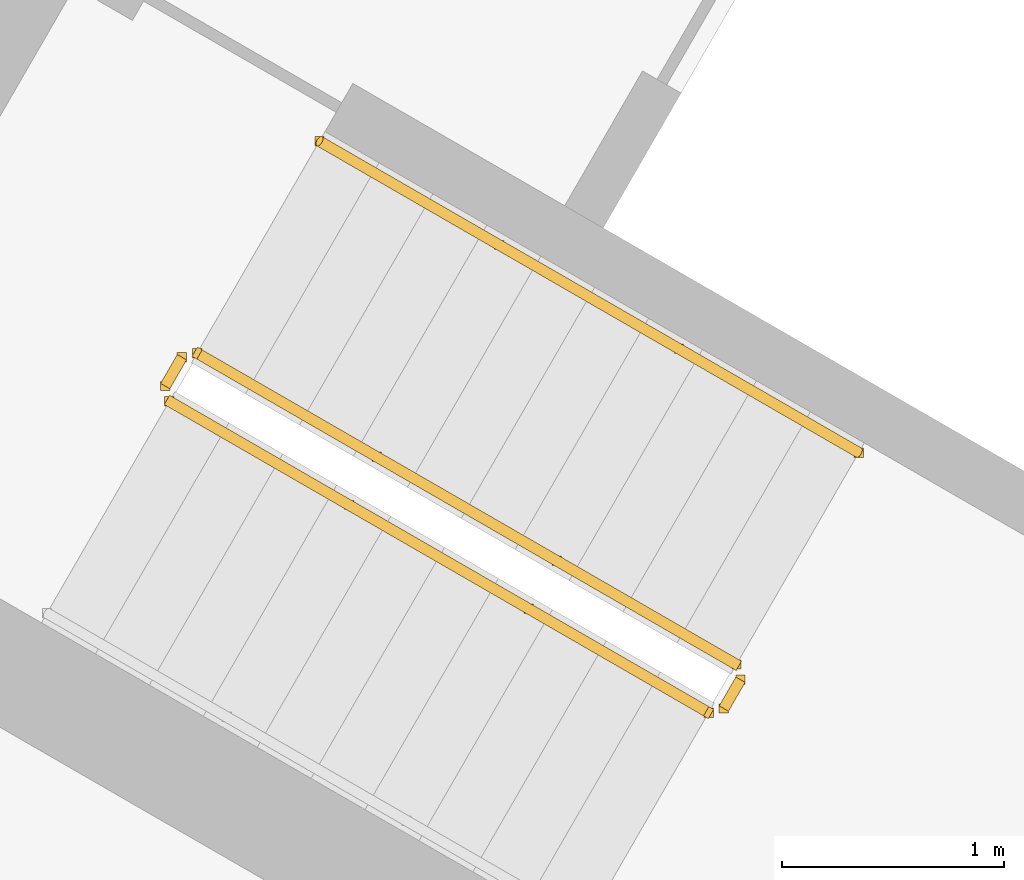
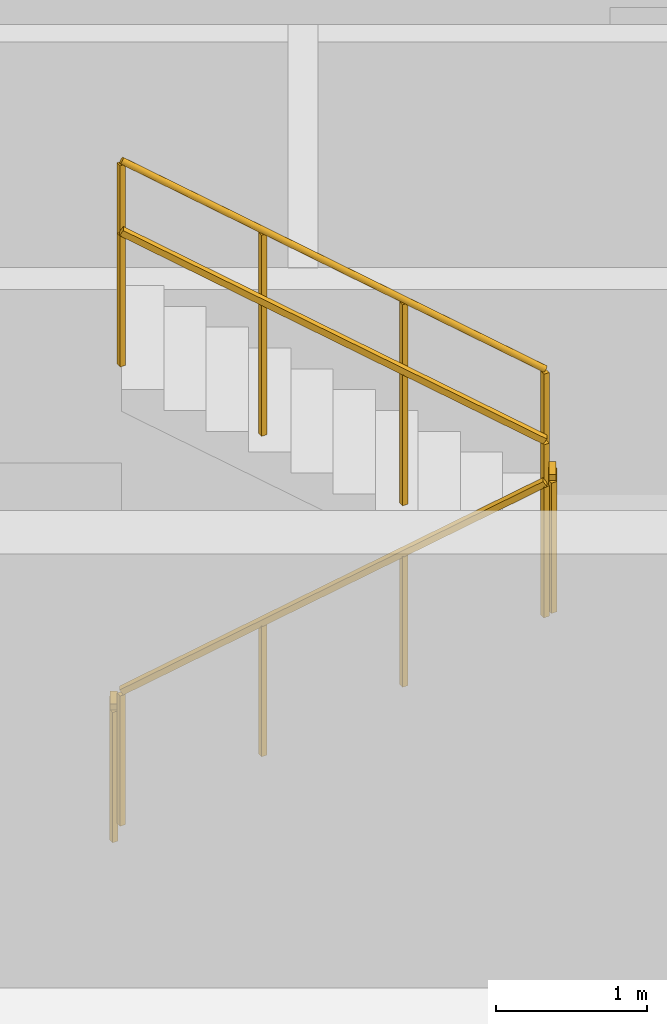
# One storey, part 11 of 13: 5 railings.
"""IFC4 building model written with IfcOpenShell, lengths in metres."""

from ifc_helpers import new_model, si_unit, direction, frame, origin, origin_2d, place, context, subcontext, project, spatial, rectangle, circle, extrude, material, type_object, element, save


model = new_model("IFC4")

# Units and contexts
model_context = context("Model", 3, precision=1e-05, world=origin(), true_north=direction((0.0, 1.0)))
body_context = subcontext(model_context, "Body", "Model", "MODEL_VIEW")
ifc_project = project(units=[si_unit("LENGTHUNIT", "METRE"), si_unit("AREAUNIT", "SQUARE_METRE"), si_unit("VOLUMEUNIT", "CUBIC_METRE"), si_unit("PLANEANGLEUNIT", "RADIAN"), si_unit("MASSUNIT", "GRAM", prefix="KILO")], contexts=[model_context])

# Site, building, storey
site_placement = place(None, origin())
site = spatial("IfcSite", under=ifc_project, at=site_placement, CompositionType="ELEMENT")
building_placement = place(site_placement, origin())
building = spatial("IfcBuilding", under=site, at=building_placement, Name="Apuvela Tower Hotel", CompositionType="ELEMENT")
storey_placement = place(building_placement, frame((0.0, 0.0, 183.60009765625)))
storey = spatial("IfcBuildingStorey", under=building, at=storey_placement, Name="L44", CompositionType="ELEMENT", Elevation=183.60009765625)

# Railings
ifc_material_1 = material(Name="Steel S275 balustrade", Category="steel")
railing_type_1 = type_object("IfcRailingType", Name="COR-GUARD-1100", PredefinedType="GUARDRAIL", material=ifc_material_1)
railing_1_placement = place(storey_placement, frame((10.718994140625, -10.63427734375, 0.16796875)))
element("IfcRailing", 1, at=railing_1_placement, inside=storey, type_object=railing_type_1, Name="L44 ST3 stair guard 1", PredefinedType="GUARDRAIL", context=body_context, shape_type="SweptSolid", body=[
    extrude(rectangle(XDim=0.048095703125, YDim=0.048095703125, at=origin_2d()), frame((0.0, 0.0, 1.076171875), z_axis=(0.742390482028, -0.42860119049, 0.514934356695), x_axis=(0.49998411664, 0.866034573852, 0.0)), (0.0, 0.0, 1.0), 3.26611328125),
    extrude(rectangle(XDim=0.0419921875, YDim=0.0419921875, at=origin_2d()), origin(), (0.0, 0.0, 1.0), 1.052001953125),
    extrude(rectangle(XDim=0.0419921875, YDim=0.0419921875, at=origin_2d()), frame((0.808349609375, -0.466552734375, 0.560546875)), (0.0, 0.0, 1.0), 1.052001953125),
    extrude(rectangle(XDim=0.0419921875, YDim=0.0419921875, at=origin_2d()), frame((1.616455078125, -0.933349609375, 1.121337890625)), (0.0, 0.0, 1.0), 1.052001953125),
    extrude(rectangle(XDim=0.0419921875, YDim=0.0419921875, at=origin_2d()), frame((2.4248046875, -1.39990234375, 1.681884765625)), (0.0, 0.0, 1.0), 1.052001953125),
])
railing_2_placement = place(storey_placement, frame((13.212158203125, -12.015869140625, 1.849853515625)))
element("IfcRailing", 2, at=railing_2_placement, inside=storey, type_object=railing_type_1, Name="L44 ST3 stair guard 2", PredefinedType="GUARDRAIL", context=body_context, shape_type="SweptSolid", body=[
    extrude(rectangle(XDim=0.048095703125, YDim=0.048095703125, at=origin_2d()), frame((0.0, 0.0, 1.076171875), z_axis=(0.499816412211, 0.866131372301, 0.0), x_axis=(-0.866131372301, 0.499816412211, 0.0)), (0.0, 0.0, 1.0), 0.14990234375),
    extrude(rectangle(XDim=0.0419921875, YDim=0.0419921875, at=origin_2d()), origin(), (0.0, 0.0, 1.0), 1.052001953125),
    extrude(rectangle(XDim=0.0419921875, YDim=0.0419921875, at=origin_2d()), frame((0.074951171875, 0.1298828125, 0.0)), (0.0, 0.0, 1.0), 1.052001953125),
])
railing_3_placement = place(storey_placement, frame((13.268798828125, -11.817626953125, 2.01806640625)))
element("IfcRailing", 3, at=railing_3_placement, inside=storey, type_object=railing_type_1, Name="L44 ST3 stair guard 3", PredefinedType="GUARDRAIL", context=body_context, shape_type="SweptSolid", body=[
    extrude(rectangle(XDim=0.048095703125, YDim=0.048095703125, at=origin_2d()), frame((0.0, 0.0, 1.076171875), z_axis=(-0.742390482028, 0.42860119049, 0.514934356695), x_axis=(-0.49998411664, -0.866034573852, 0.0)), (0.0, 0.0, 1.0), 3.26611328125),
    extrude(rectangle(XDim=0.0419921875, YDim=0.0419921875, at=origin_2d()), origin(), (0.0, 0.0, 1.0), 1.052001953125),
    extrude(rectangle(XDim=0.0419921875, YDim=0.0419921875, at=origin_2d()), frame((-0.808349609375, 0.466552734375, 0.560546875)), (0.0, 0.0, 1.0), 1.052001953125),
    extrude(rectangle(XDim=0.0419921875, YDim=0.0419921875, at=origin_2d()), frame((-1.616455078125, 0.933349609375, 1.121337890625)), (0.0, 0.0, 1.0), 1.052001953125),
    extrude(rectangle(XDim=0.0419921875, YDim=0.0419921875, at=origin_2d()), frame((-2.4248046875, 1.39990234375, 1.681884765625)), (0.0, 0.0, 1.0), 1.052001953125),
])
railing_4_placement = place(storey_placement, frame((10.70068359375, -10.56591796875, 0.0)))
element("IfcRailing", 4, at=railing_4_placement, inside=storey, type_object=railing_type_1, Name="L44 ST3 stair guard 4", PredefinedType="GUARDRAIL", context=body_context, shape_type="SweptSolid", body=[
    extrude(rectangle(XDim=0.048095703125, YDim=0.048095703125, at=origin_2d()), frame((0.0, 0.0, 1.076171875), z_axis=(0.499816412211, 0.866131372301, 0.0), x_axis=(-0.866131372301, 0.499816412211, 0.0)), (0.0, 0.0, 1.0), 0.14990234375),
    extrude(rectangle(XDim=0.0419921875, YDim=0.0419921875, at=origin_2d()), origin(), (0.0, 0.0, 1.0), 1.052001953125),
    extrude(rectangle(XDim=0.0419921875, YDim=0.0419921875, at=origin_2d()), frame((0.074951171875, 0.1298828125, 0.0)), (0.0, 0.0, 1.0), 1.052001953125),
])
ifc_material_2 = material(Name="Stainless steel 316 handrail", Category="steel")
railing_type_2 = type_object("IfcRailingType", Name="COR-HANDRAIL-900", PredefinedType="HANDRAIL", material=ifc_material_2)
railing_5_placement = place(storey_placement, frame((13.81884765625, -10.864990234375, 2.01806640625)))
element("IfcRailing", 5, at=railing_5_placement, inside=storey, type_object=railing_type_2, Name="L44 ST3 stair handrail 2", PredefinedType="HANDRAIL", context=body_context, shape_type="SweptSolid", body=[
    extrude(circle(Radius=0.02392578125, at=origin_2d()), frame((0.0, 0.0, 0.8759765625), z_axis=(-0.742390482028, 0.42860119049, 0.514934356695), x_axis=(-0.49998411664, -0.866034573852, 0.0)), (0.0, 0.0, 1.0), 3.26611328125),
    extrude(rectangle(XDim=0.0419921875, YDim=0.0419921875, at=origin_2d()), origin(), (0.0, 0.0, 1.0), 0.851806640625),
    extrude(rectangle(XDim=0.0419921875, YDim=0.0419921875, at=origin_2d()), frame((-0.808349609375, 0.466552734375, 0.560546875)), (0.0, 0.0, 1.0), 0.851806640625),
    extrude(rectangle(XDim=0.0419921875, YDim=0.0419921875, at=origin_2d()), frame((-1.616455078125, 0.933349609375, 1.121337890625)), (0.0, 0.0, 1.0), 0.851806640625),
    extrude(rectangle(XDim=0.0419921875, YDim=0.0419921875, at=origin_2d()), frame((-2.4248046875, 1.39990234375, 1.681884765625)), (0.0, 0.0, 1.0), 0.851806640625),
])

save(model, "model.ifc")
